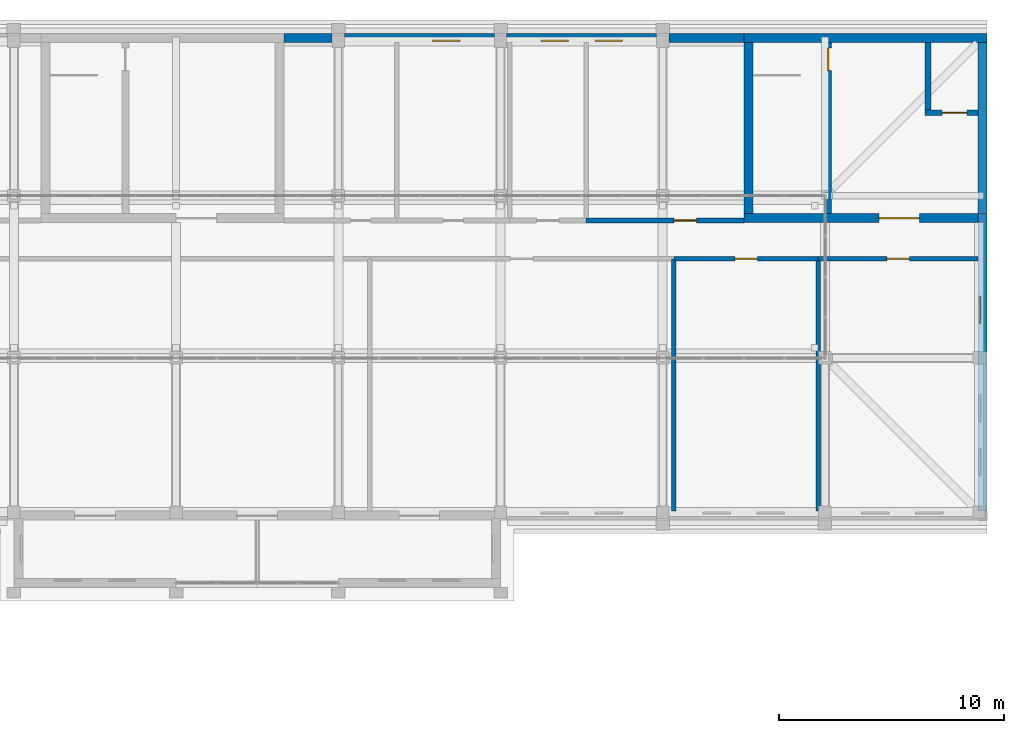
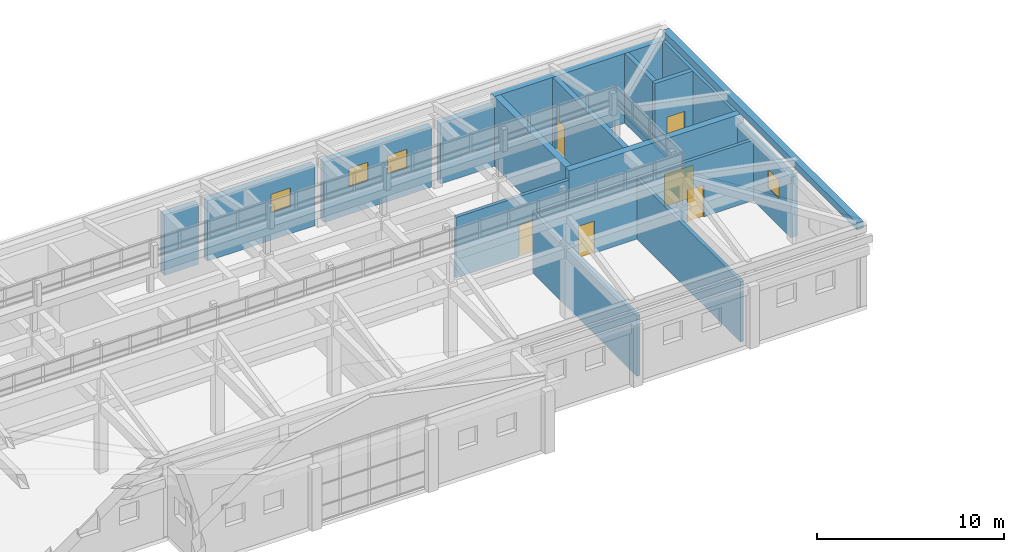
# One storey, part 44 of 48: 18 walls, 6 doors, 4 windows, 10 openings.
"""IFC4 building model written with IfcOpenShell, lengths in metres."""

from ifc_helpers import new_model, si_unit, direction, frame, frame_2d, origin, place, context, subcontext, project, spatial, rectangle, extrude, material, layer, layer_set, type_object, element, fill, save


model = new_model("IFC4")

# Units and contexts
model_context = context("Model", 3, precision=1e-05, world=origin(), true_north=direction((0.0, 1.0)))
body_context = subcontext(model_context, "Body", "Model", "MODEL_VIEW")
ifc_project = project(units=[si_unit("LENGTHUNIT", "METRE"), si_unit("AREAUNIT", "SQUARE_METRE"), si_unit("VOLUMEUNIT", "CUBIC_METRE"), si_unit("PLANEANGLEUNIT", "RADIAN"), si_unit("MASSUNIT", "GRAM", prefix="KILO")], contexts=[model_context])

# Site, building, storey
site_placement = place(None, origin())
site = spatial("IfcSite", under=ifc_project, at=site_placement, CompositionType="ELEMENT")
building_placement = place(site_placement, origin())
building = spatial("IfcBuilding", under=site, at=building_placement, Name="Alderwick Market Hall", CompositionType="ELEMENT")
storey_placement = place(building_placement, frame((0.0, 0.0, 14.39990234375)))
storey = spatial("IfcBuildingStorey", under=building, at=storey_placement, Name="L02", CompositionType="ELEMENT", Elevation=14.39990234375)

# Wall
ifc_material_1 = material(Name="Face brick", Category="masonry")
ifc_layer_1 = layer(ifc_material_1, 0.39990234375)
ifc_layer_set_1 = layer_set([ifc_layer_1], Name="Face brick")
wall_type_1 = type_object("IfcWallType", Name="F Brick Pier Wall 400", PredefinedType="SOLIDWALL", material=ifc_layer_set_1)
wall_1_placement = place(storey_placement, frame((199.199951171875, 151.0, 0.0), z_axis=(0.0, 0.0, 1.0), x_axis=(1.0, 0.0, 0.0)))
element("IfcWall", 1, at=wall_1_placement, inside=storey, type_object=wall_type_1, Name="F.wall.L02.fac.back.07", PredefinedType="SOLIDWALL", context=body_context, shape_type="SweptSolid", body=[
    extrude(rectangle(XDim=2.125, YDim=0.39990234375, at=frame_2d((1.0625, 0.0))), origin(), (0.0, 0.0, 1.0), 3.9501953125),
])

# Wall, opening, window
wall_2_placement = place(storey_placement, frame((201.875, 151.0, 0.0), z_axis=(0.0, 0.0, 1.0), x_axis=(1.0, 0.0, 0.0)))
wall_2 = element("IfcWall", 2, at=wall_2_placement, inside=storey, type_object=wall_type_1, Name="F.wall.L02.fac.back.08", PredefinedType="SOLIDWALL", context=body_context, shape_type="SweptSolid", body=[
    extrude(rectangle(XDim=6.64990234375, YDim=0.39990234375, at=frame_2d((3.324951171875, 0.0))), origin(), (0.0, 0.0, 1.0), 3.9501953125),
])
opening_1_placement = place(wall_2_placement, frame((3.925048828125, 0.0, 1.800048828125)))
opening_1 = element("IfcOpeningElement", 3, at=opening_1_placement, cuts=wall_2, Name="Opening F-W054", PredefinedType="OPENING", context=body_context, shape_type="SweptSolid", body=[
    extrude(rectangle(XDim=1.199951171875, YDim=1.199951171875, at=frame_2d((0.60009765625, 0.60009765625))), frame((0.0, 0.2099609375, 0.0), z_axis=(0.0, -1.0, 0.0), x_axis=(1.0, 0.0, 0.0)), (0.0, 0.0, 1.0), 0.419921875),
])
ifc_material_2 = material(Name="Aluminium frame, double glazing", Category="aluminium")
window_type = type_object("IfcWindowType", Name="F Attic Window 1200x1200", PartitioningType="SINGLE_PANEL", PredefinedType="WINDOW", material=ifc_material_2)
window_1_placement = place(opening_1_placement, origin())
window_1 = element("IfcWindow", 4, at=window_1_placement, inside=storey, type_object=window_type, Name="F.win.L02.054", OverallHeight=1.199951171875, OverallWidth=1.199951171875, PartitioningType="SINGLE_PANEL", PredefinedType="WINDOW", context=body_context, shape_type="SweptSolid", body=[
    extrude(rectangle(XDim=1.199951171875, YDim=1.199951171875, at=frame_2d((0.60009765625, 0.60009765625))), frame((0.0, -0.090087890625, 0.0), z_axis=(0.0, -1.0, 0.0), x_axis=(1.0, 0.0, 0.0)), (0.0, 0.0, 1.0), 0.06005859375),
])
fill(opening_1, window_1)

# Wall, openings, windows
wall_3_placement = place(storey_placement, frame((209.074951171875, 151.0, 0.0), z_axis=(0.0, 0.0, 1.0), x_axis=(1.0, 0.0, 0.0)))
wall_3 = element("IfcWall", 5, at=wall_3_placement, inside=storey, type_object=wall_type_1, Name="F.wall.L02.fac.back.09", PredefinedType="SOLIDWALL", context=body_context, shape_type="SweptSolid", body=[
    extrude(rectangle(XDim=6.650146484375, YDim=0.39990234375, at=frame_2d((3.3251953125, 0.0))), origin(), (0.0, 0.0, 1.0), 3.9501953125),
])
opening_2_placement = place(wall_3_placement, frame((1.52490234375, 0.0, 1.800048828125)))
opening_2 = element("IfcOpeningElement", 6, at=opening_2_placement, cuts=wall_3, Name="Opening F-W055", PredefinedType="OPENING", context=body_context, shape_type="SweptSolid", body=[
    extrude(rectangle(XDim=1.199951171875, YDim=1.199951171875, at=frame_2d((0.60009765625, 0.60009765625))), frame((0.0, 0.2099609375, 0.0), z_axis=(0.0, -1.0, 0.0), x_axis=(1.0, 0.0, 0.0)), (0.0, 0.0, 1.0), 0.419921875),
])
opening_3_placement = place(wall_3_placement, frame((3.925048828125, 0.0, 1.800048828125)))
opening_3 = element("IfcOpeningElement", 7, at=opening_3_placement, cuts=wall_3, Name="Opening F-W056", PredefinedType="OPENING", context=body_context, shape_type="SweptSolid", body=[
    extrude(rectangle(XDim=1.199951171875, YDim=1.199951171875, at=frame_2d((0.60009765625, 0.60009765625))), frame((0.0, 0.2099609375, 0.0), z_axis=(0.0, -1.0, 0.0), x_axis=(1.0, 0.0, 0.0)), (0.0, 0.0, 1.0), 0.419921875),
])
window_2_placement = place(opening_2_placement, origin())
window_2 = element("IfcWindow", 8, at=window_2_placement, inside=storey, type_object=window_type, Name="F.win.L02.055", OverallHeight=1.199951171875, OverallWidth=1.199951171875, PartitioningType="SINGLE_PANEL", PredefinedType="WINDOW", context=body_context, shape_type="SweptSolid", body=[
    extrude(rectangle(XDim=1.199951171875, YDim=1.199951171875, at=frame_2d((0.60009765625, 0.60009765625))), frame((0.0, -0.090087890625, 0.0), z_axis=(0.0, -1.0, 0.0), x_axis=(1.0, 0.0, 0.0)), (0.0, 0.0, 1.0), 0.06005859375),
])
fill(opening_2, window_2)
window_3_placement = place(opening_3_placement, origin())
window_3 = element("IfcWindow", 9, at=window_3_placement, inside=storey, type_object=window_type, Name="F.win.L02.056", OverallHeight=1.199951171875, OverallWidth=1.199951171875, PartitioningType="SINGLE_PANEL", PredefinedType="WINDOW", context=body_context, shape_type="SweptSolid", body=[
    extrude(rectangle(XDim=1.199951171875, YDim=1.199951171875, at=frame_2d((0.60009765625, 0.60009765625))), frame((0.0, -0.090087890625, 0.0), z_axis=(0.0, -1.0, 0.0), x_axis=(1.0, 0.0, 0.0)), (0.0, 0.0, 1.0), 0.06005859375),
])
fill(opening_3, window_3)

# Walls
wall_4_placement = place(storey_placement, frame((216.27490234375, 151.0, 0.0), z_axis=(0.0, 0.0, 1.0), x_axis=(1.0, 0.0, 0.0)))
element("IfcWall", 10, at=wall_4_placement, inside=storey, type_object=wall_type_1, Name="F.wall.L02.fac.back.10", PredefinedType="SOLIDWALL", context=body_context, shape_type="SweptSolid", body=[
    extrude(rectangle(XDim=3.3251953125, YDim=0.39990234375, at=frame_2d((1.66259765625, 0.0))), origin(), (0.0, 0.0, 1.0), 3.9501953125),
])
ifc_material_3 = material(Name="Concrete 5000 psi (f'c 35 MPa)", Category="concrete")
ifc_layer_2 = layer(ifc_material_3, 0.39990234375)
ifc_layer_set_2 = layer_set([ifc_layer_2], Name="Concrete 5000 psi (f'c 35 MPa)")
wall_type_2 = type_object("IfcWallType", Name="F Core Wall Concrete 5000 psi 400", PredefinedType="SHEAR", material=ifc_layer_set_2)
wall_5_placement = place(storey_placement, frame((219.60009765625, 151.0, 0.0), z_axis=(0.0, 0.0, 1.0), x_axis=(1.0, 0.0, 0.0)))
element("IfcWall", 11, at=wall_5_placement, inside=storey, type_object=wall_type_2, Name="F.wall.L02.fac.back.11", PredefinedType="SHEAR", context=body_context, shape_type="SweptSolid", body=[
    extrude(rectangle(XDim=10.7998046875, YDim=0.39990234375, at=frame_2d((5.39990234375, 0.0))), origin(), (0.0, 0.0, 1.0), 4.550048828125),
])
wall_6_placement = place(storey_placement, frame((230.199951171875, 150.800048828125, 0.0), z_axis=(0.0, 0.0, 1.0), x_axis=(0.0, -1.0, 0.0)))
element("IfcWall", 12, at=wall_6_placement, inside=storey, type_object=wall_type_2, Name="F.wall.L02.fac.east.04", PredefinedType="SHEAR", context=body_context, shape_type="SweptSolid", body=[
    extrude(rectangle(XDim=7.60009765625, YDim=0.39990234375, at=frame_2d((3.800048828125, 0.0))), origin(), (0.0, 0.0, 1.0), 4.550048828125),
])

# Wall, opening, door
wall_7_placement = place(storey_placement, frame((219.60009765625, 143.0, 0.0), z_axis=(0.0, 0.0, 1.0), x_axis=(1.0, 0.0, 0.0)))
wall_7 = element("IfcWall", 13, at=wall_7_placement, inside=storey, type_object=wall_type_2, Name="F.wall.L02.core.C.front.01", PredefinedType="SHEAR", context=body_context, shape_type="SweptSolid", body=[
    extrude(rectangle(XDim=10.7998046875, YDim=0.39990234375, at=frame_2d((5.39990234375, 0.0))), origin(), (0.0, 0.0, 1.0), 4.550048828125),
])
opening_4_placement = place(wall_7_placement, frame((6.0, 0.0, 0.0)))
opening_4 = element("IfcOpeningElement", 14, at=opening_4_placement, cuts=wall_7, Name="Opening F-D083", PredefinedType="OPENING", context=body_context, shape_type="SweptSolid", body=[
    extrude(rectangle(XDim=1.800048828125, YDim=2.10009765625, at=frame_2d((0.89990234375, 1.050048828125))), frame((0.0, 0.2099609375, 0.0), z_axis=(0.0, -1.0, 0.0), x_axis=(1.0, 0.0, 0.0)), (0.0, 0.0, 1.0), 0.419921875),
])
ifc_material_4 = material(Name="Steel, insulated", Category="steel")
door_type_1 = type_object("IfcDoorType", Name="F Fire Door Pair FD90 1800x2100", OperationType="NOTDEFINED", PredefinedType="DOOR", material=ifc_material_4)
door_1_placement = place(opening_4_placement, origin())
door_1 = element("IfcDoor", 15, at=door_1_placement, inside=storey, type_object=door_type_1, Name="F.door.L02.083", OperationType="NOTDEFINED", OverallHeight=2.10009765625, OverallWidth=1.800048828125, PredefinedType="DOOR", context=body_context, shape_type="SweptSolid", body=[
    extrude(rectangle(XDim=1.800048828125, YDim=2.10009765625, at=frame_2d((0.89990234375, 1.050048828125))), frame((0.0, 0.02490234375, 0.0), z_axis=(0.0, -1.0, 0.0), x_axis=(1.0, 0.0, 0.0)), (0.0, 0.0, 1.0), 0.050048828125),
])
fill(opening_4, door_1)

# Walls
wall_8_placement = place(storey_placement, frame((219.800048828125, 143.199951171875, 0.0), z_axis=(0.0, 0.0, 1.0), x_axis=(0.0, 1.0, 0.0)))
element("IfcWall", 16, at=wall_8_placement, inside=storey, type_object=wall_type_2, Name="F.wall.L02.core.C.west.01", PredefinedType="SHEAR", context=body_context, shape_type="SweptSolid", body=[
    extrude(rectangle(XDim=7.60009765625, YDim=0.39990234375, at=frame_2d((3.800048828125, 0.0))), origin(), (0.0, 0.0, 1.0), 4.550048828125),
])
ifc_layer_3 = layer(ifc_material_3, 0.39990234375)
ifc_layer_set_3 = layer_set([ifc_layer_3], Name="Concrete 5000 psi (f'c 35 MPa)")
wall_type_3 = type_object("IfcWallType", Name="F Eaves Kerb Concrete 5000 psi 400", PredefinedType="SOLIDWALL", material=ifc_layer_set_3)
wall_9_placement = place(storey_placement, frame((230.199951171875, 150.800048828125, 4.800048828125), z_axis=(0.0, 0.0, 1.0), x_axis=(0.0, -1.0, 0.0)))
element("IfcWall", 17, at=wall_9_placement, inside=storey, type_object=wall_type_3, Name="F.wall.L02.kerb.east.01", PredefinedType="SOLIDWALL", context=body_context, shape_type="SweptSolid", body=[
    extrude(rectangle(XDim=20.800048828125, YDim=0.39990234375, at=frame_2d((10.39990234375, 0.0))), origin(), (0.0, 0.0, 1.0), 0.449951171875),
])

# Wall, opening, window
ifc_layer_4 = layer(ifc_material_3, 0.39990234375)
ifc_layer_set_4 = layer_set([ifc_layer_4], Name="Concrete 5000 psi (f'c 35 MPa)")
wall_type_4 = type_object("IfcWallType", Name="F End Shear Wall Concrete 5000 psi 400", PredefinedType="SHEAR", material=ifc_layer_set_4)
wall_10_placement = place(storey_placement, frame((230.199951171875, 143.199951171875, 0.0), z_axis=(0.0, 0.0, 1.0), x_axis=(0.0, -1.0, 0.0)))
wall_10 = element("IfcWall", 18, at=wall_10_placement, inside=storey, type_object=wall_type_4, Name="F.wall.L02.fac.east.03", PredefinedType="SHEAR", context=body_context, shape_type="SweptSolid", body=[
    extrude(rectangle(XDim=6.125, YDim=0.39990234375, at=frame_2d((3.0625, 0.0))), origin(), (0.0, 0.0, 1.0), 3.9501953125),
])
opening_5_placement = place(wall_10_placement, frame((3.66259765625, 0.0, 1.800048828125)))
opening_5 = element("IfcOpeningElement", 19, at=opening_5_placement, cuts=wall_10, Name="Opening F-W059", PredefinedType="OPENING", context=body_context, shape_type="SweptSolid", body=[
    extrude(rectangle(XDim=1.199951171875, YDim=1.199951171875, at=frame_2d((0.60009765625, 0.60009765625))), frame((0.0, 0.2099609375, 0.0), z_axis=(0.0, -1.0, 0.0), x_axis=(1.0, 0.0, 0.0)), (0.0, 0.0, 1.0), 0.419921875),
])
window_4_placement = place(opening_5_placement, origin())
window_4 = element("IfcWindow", 20, at=window_4_placement, inside=storey, type_object=window_type, Name="F.win.L02.059", OverallHeight=1.199951171875, OverallWidth=1.199951171875, PartitioningType="SINGLE_PANEL", PredefinedType="WINDOW", context=body_context, shape_type="SweptSolid", body=[
    extrude(rectangle(XDim=1.199951171875, YDim=1.199951171875, at=frame_2d((0.60009765625, 0.60009765625))), frame((0.0, -0.090087890625, 0.0), z_axis=(0.0, -1.0, 0.0), x_axis=(1.0, 0.0, 0.0)), (0.0, 0.0, 1.0), 0.06005859375),
])
fill(opening_5, window_4)

# Wall, opening, door
ifc_material_5 = material(Name="Gypsum board on steel studs", Category="steel")
ifc_layer_5 = layer(ifc_material_5, 0.199951171875)
ifc_layer_set_5 = layer_set([ifc_layer_5], Name="Gypsum board on steel studs")
wall_type_5 = type_object("IfcWallType", Name="F Fire Partition Wall 200", PredefinedType="PARTITIONING", material=ifc_layer_set_5)
wall_11_placement = place(storey_placement, frame((212.60009765625, 142.89990234375, 0.0), z_axis=(0.0, 0.0, 1.0), x_axis=(1.0, 0.0, 0.0)))
wall_11 = element("IfcWall", 21, at=wall_11_placement, inside=storey, type_object=wall_type_5, Name="F.wall.L02.part.009", PredefinedType="PARTITIONING", context=body_context, shape_type="SweptSolid", body=[
    extrude(rectangle(XDim=7.0, YDim=0.199951171875, at=frame_2d((3.5, 0.0))), origin(), (0.0, 0.0, 1.0), 3.9501953125),
])
opening_6_placement = place(wall_11_placement, frame((3.89990234375, 0.0, 0.0)))
opening_6 = element("IfcOpeningElement", 22, at=opening_6_placement, cuts=wall_11, Name="Opening F-D093", PredefinedType="OPENING", context=body_context, shape_type="SweptSolid", body=[
    extrude(rectangle(XDim=1.0, YDim=2.10009765625, at=frame_2d((0.5, 1.050048828125))), frame((0.0, 0.10986328125, 0.0), z_axis=(0.0, -1.0, 0.0), x_axis=(1.0, 0.0, 0.0)), (0.0, 0.0, 1.0), 0.219970703125),
])
door_type_2 = type_object("IfcDoorType", Name="F Fire Door FD60 1000x2100", OperationType="NOTDEFINED", PredefinedType="DOOR", material=ifc_material_4)
door_2_placement = place(opening_6_placement, origin())
door_2 = element("IfcDoor", 23, at=door_2_placement, inside=storey, type_object=door_type_2, Name="F.door.L02.093", OperationType="NOTDEFINED", OverallHeight=2.10009765625, OverallWidth=1.0, PredefinedType="DOOR", context=body_context, shape_type="SweptSolid", body=[
    extrude(rectangle(XDim=1.0, YDim=2.10009765625, at=frame_2d((0.5, 1.050048828125))), frame((0.0, 0.02490234375, 0.0), z_axis=(0.0, -1.0, 0.0), x_axis=(1.0, 0.0, 0.0)), (0.0, 0.0, 1.0), 0.050048828125),
])
fill(opening_6, door_2)

# Wall
ifc_layer_6 = layer(ifc_material_3, 0.25)
ifc_layer_set_6 = layer_set([ifc_layer_6], Name="Concrete 5000 psi (f'c 35 MPa)")
wall_type_6 = type_object("IfcWallType", Name="F Lift Shaft Wall Concrete 5000 psi 250", PredefinedType="SHEAR", material=ifc_layer_set_6)
wall_12_placement = place(storey_placement, frame((227.77490234375, 147.550048828125, 0.0), z_axis=(0.0, 0.0, 1.0), x_axis=(0.0, 1.0, 0.0)))
element("IfcWall", 24, at=wall_12_placement, inside=storey, type_object=wall_type_6, Name="F.wall.L02.core.C.shaftw.01", PredefinedType="SHEAR", context=body_context, shape_type="SweptSolid", body=[
    extrude(rectangle(XDim=3.25, YDim=0.25, at=frame_2d((1.625, 0.0))), origin(), (0.0, 0.0, 1.0), 4.550048828125),
])

# Wall, opening, door
wall_13_placement = place(storey_placement, frame((227.64990234375, 147.675048828125, 0.0), z_axis=(0.0, 0.0, 1.0), x_axis=(1.0, 0.0, 0.0)))
wall_13 = element("IfcWall", 25, at=wall_13_placement, inside=storey, type_object=wall_type_6, Name="F.wall.L02.core.C.shaftf.01", PredefinedType="SHEAR", context=body_context, shape_type="SweptSolid", body=[
    extrude(rectangle(XDim=2.35009765625, YDim=0.25, at=frame_2d((1.175048828125, 0.0))), origin(), (0.0, 0.0, 1.0), 4.550048828125),
])
opening_7_placement = place(wall_13_placement, frame((0.75, 0.0, 0.0)))
opening_7 = element("IfcOpeningElement", 26, at=opening_7_placement, cuts=wall_13, Name="Opening F-D084", PredefinedType="OPENING", context=body_context, shape_type="SweptSolid", body=[
    extrude(rectangle(XDim=1.10009765625, YDim=2.10009765625, at=frame_2d((0.550048828125, 1.050048828125))), frame((0.0, 0.135009765625, 0.0), z_axis=(0.0, -1.0, 0.0), x_axis=(1.0, 0.0, 0.0)), (0.0, 0.0, 1.0), 0.27001953125),
])
ifc_material_6 = material(Name="Stainless steel", Category="steel")
door_type_3 = type_object("IfcDoorType", Name="F Lift Landing Door 1100x2100", OperationType="SLIDING_TO_LEFT", PredefinedType="DOOR", material=ifc_material_6)
door_3_placement = place(opening_7_placement, origin())
door_3 = element("IfcDoor", 27, at=door_3_placement, inside=storey, type_object=door_type_3, Name="F.door.L02.084", OperationType="SLIDING_TO_LEFT", OverallHeight=2.10009765625, OverallWidth=1.10009765625, PredefinedType="DOOR", context=body_context, shape_type="SweptSolid", body=[
    extrude(rectangle(XDim=1.10009765625, YDim=2.10009765625, at=frame_2d((0.550048828125, 1.050048828125))), frame((0.0, 0.02490234375, 0.0), z_axis=(0.0, -1.0, 0.0), x_axis=(1.0, 0.0, 0.0)), (0.0, 0.0, 1.0), 0.050048828125),
])
fill(opening_7, door_3)

ifc_layer_7 = layer(ifc_material_5, 0.199951171875)
ifc_layer_set_7 = layer_set([ifc_layer_7], Name="Gypsum board on steel studs")
wall_type_7 = type_object("IfcWallType", Name="F Partition Wall 200", PredefinedType="PARTITIONING", material=ifc_layer_set_7)
wall_14_placement = place(storey_placement, frame((216.5, 141.199951171875, 0.0), z_axis=(0.0, 0.0, 1.0), x_axis=(1.0, 0.0, 0.0)))
wall_14 = element("IfcWall", 28, at=wall_14_placement, inside=storey, type_object=wall_type_7, Name="F.wall.L02.part.003", PredefinedType="PARTITIONING", context=body_context, shape_type="SweptSolid", body=[
    extrude(rectangle(XDim=6.39990234375, YDim=0.199951171875, at=frame_2d((3.199951171875, 0.0))), origin(), (0.0, 0.0, 1.0), 3.9501953125),
])
opening_8_placement = place(wall_14_placement, frame((2.699951171875, 0.0, 0.0)))
opening_8 = element("IfcOpeningElement", 29, at=opening_8_placement, cuts=wall_14, Name="Opening F-D087", PredefinedType="OPENING", context=body_context, shape_type="SweptSolid", body=[
    extrude(rectangle(XDim=1.0, YDim=2.10009765625, at=frame_2d((0.5, 1.050048828125))), frame((0.0, 0.10986328125, 0.0), z_axis=(0.0, -1.0, 0.0), x_axis=(1.0, 0.0, 0.0)), (0.0, 0.0, 1.0), 0.219970703125),
])
ifc_material_7 = material(Name="Timber, solid core", Category="wood")
door_type_4 = type_object("IfcDoorType", Name="F Door 1000x2100", OperationType="NOTDEFINED", PredefinedType="DOOR", material=ifc_material_7)
door_4_placement = place(opening_8_placement, origin())
door_4 = element("IfcDoor", 30, at=door_4_placement, inside=storey, type_object=door_type_4, Name="F.door.L02.087", OperationType="NOTDEFINED", OverallHeight=2.10009765625, OverallWidth=1.0, PredefinedType="DOOR", context=body_context, shape_type="SweptSolid", body=[
    extrude(rectangle(XDim=1.0, YDim=2.10009765625, at=frame_2d((0.5, 1.050048828125))), frame((0.0, 0.02490234375, 0.0), z_axis=(0.0, -1.0, 0.0), x_axis=(1.0, 0.0, 0.0)), (0.0, 0.0, 1.0), 0.050048828125),
])
fill(opening_8, door_4)

wall_15_placement = place(storey_placement, frame((222.89990234375, 141.199951171875, 0.0), z_axis=(0.0, 0.0, 1.0), x_axis=(1.0, 0.0, 0.0)))
wall_15 = element("IfcWall", 31, at=wall_15_placement, inside=storey, type_object=wall_type_7, Name="F.wall.L02.part.004", PredefinedType="PARTITIONING", context=body_context, shape_type="SweptSolid", body=[
    extrude(rectangle(XDim=7.10009765625, YDim=0.199951171875, at=frame_2d((3.550048828125, 0.0))), origin(), (0.0, 0.0, 1.0), 3.9501953125),
])
opening_9_placement = place(wall_15_placement, frame((3.050048828125, 0.0, 0.0)))
opening_9 = element("IfcOpeningElement", 32, at=opening_9_placement, cuts=wall_15, Name="Opening F-D088", PredefinedType="OPENING", context=body_context, shape_type="SweptSolid", body=[
    extrude(rectangle(XDim=1.0, YDim=2.10009765625, at=frame_2d((0.5, 1.050048828125))), frame((0.0, 0.10986328125, 0.0), z_axis=(0.0, -1.0, 0.0), x_axis=(1.0, 0.0, 0.0)), (0.0, 0.0, 1.0), 0.219970703125),
])
door_5_placement = place(opening_9_placement, origin())
door_5 = element("IfcDoor", 33, at=door_5_placement, inside=storey, type_object=door_type_4, Name="F.door.L02.088", OperationType="NOTDEFINED", OverallHeight=2.10009765625, OverallWidth=1.0, PredefinedType="DOOR", context=body_context, shape_type="SweptSolid", body=[
    extrude(rectangle(XDim=1.0, YDim=2.10009765625, at=frame_2d((0.5, 1.050048828125))), frame((0.0, 0.02490234375, 0.0), z_axis=(0.0, -1.0, 0.0), x_axis=(1.0, 0.0, 0.0)), (0.0, 0.0, 1.0), 0.050048828125),
])
fill(opening_9, door_5)

# Walls
for number, where, z_axis, x_axis, name in (
    (34, (216.5, 130.0, 0.0), (0.0, 0.0, 1.0), (0.0, 1.0, 0.0), "F.wall.L02.part.014"),
    (35, (222.89990234375, 130.0, 0.0), (0.0, 0.0, 1.0), (0.0, 1.0, 0.0), "F.wall.L02.part.015"),
):
    element("IfcWall", number, at=place(storey_placement, frame(where, z_axis=z_axis, x_axis=x_axis)), inside=storey, type_object=wall_type_7, Name=name, PredefinedType="PARTITIONING", context=body_context, shape_type="SweptSolid", body=[
        extrude(rectangle(XDim=11.199951171875, YDim=0.199951171875, at=frame_2d((5.60009765625, 0.0))), origin(), (0.0, 0.0, 1.0), 3.9501953125),
    ])

# Wall, opening, door
ifc_layer_8 = layer(ifc_material_3, 0.300048828125)
ifc_layer_set_8 = layer_set([ifc_layer_8], Name="Concrete 5000 psi (f'c 35 MPa)")
wall_type_8 = type_object("IfcWallType", Name="F Stair Divider Wall Concrete 5000 psi 300", PredefinedType="SHEAR", material=ifc_layer_set_8)
wall_16_placement = place(storey_placement, frame((223.35009765625, 143.199951171875, 0.0), z_axis=(0.0, 0.0, 1.0), x_axis=(0.0, 1.0, 0.0)))
wall_16 = element("IfcWall", 36, at=wall_16_placement, inside=storey, type_object=wall_type_8, Name="F.wall.L02.core.C.div.01", PredefinedType="SHEAR", context=body_context, shape_type="SweptSolid", body=[
    extrude(rectangle(XDim=7.60009765625, YDim=0.300048828125, at=frame_2d((3.800048828125, 0.0))), origin(), (0.0, 0.0, 1.0), 4.550048828125),
])
opening_10_placement = place(wall_16_placement, frame((6.35009765625, 0.0, 0.0)))
opening_10 = element("IfcOpeningElement", 37, at=opening_10_placement, cuts=wall_16, Name="Opening F-D082", PredefinedType="OPENING", context=body_context, shape_type="SweptSolid", body=[
    extrude(rectangle(XDim=1.0, YDim=2.10009765625, at=frame_2d((0.5, 1.050048828125))), frame((0.0, 0.159912109375, 0.0), z_axis=(0.0, -1.0, 0.0), x_axis=(1.0, 0.0, 0.0)), (0.0, 0.0, 1.0), 0.320068359375),
])
door_type_5 = type_object("IfcDoorType", Name="F Fire Door FD90 1000x2100", OperationType="NOTDEFINED", PredefinedType="DOOR", material=ifc_material_4)
door_6_placement = place(opening_10_placement, origin())
door_6 = element("IfcDoor", 38, at=door_6_placement, inside=storey, type_object=door_type_5, Name="F.door.L02.082", OperationType="NOTDEFINED", OverallHeight=2.10009765625, OverallWidth=1.0, PredefinedType="DOOR", context=body_context, shape_type="SweptSolid", body=[
    extrude(rectangle(XDim=1.0, YDim=2.10009765625, at=frame_2d((0.5, 1.050048828125))), frame((0.0, 0.02490234375, 0.0), z_axis=(0.0, -1.0, 0.0), x_axis=(1.0, 0.0, 0.0)), (0.0, 0.0, 1.0), 0.050048828125),
])
fill(opening_10, door_6)

save(model, "model.ifc")
